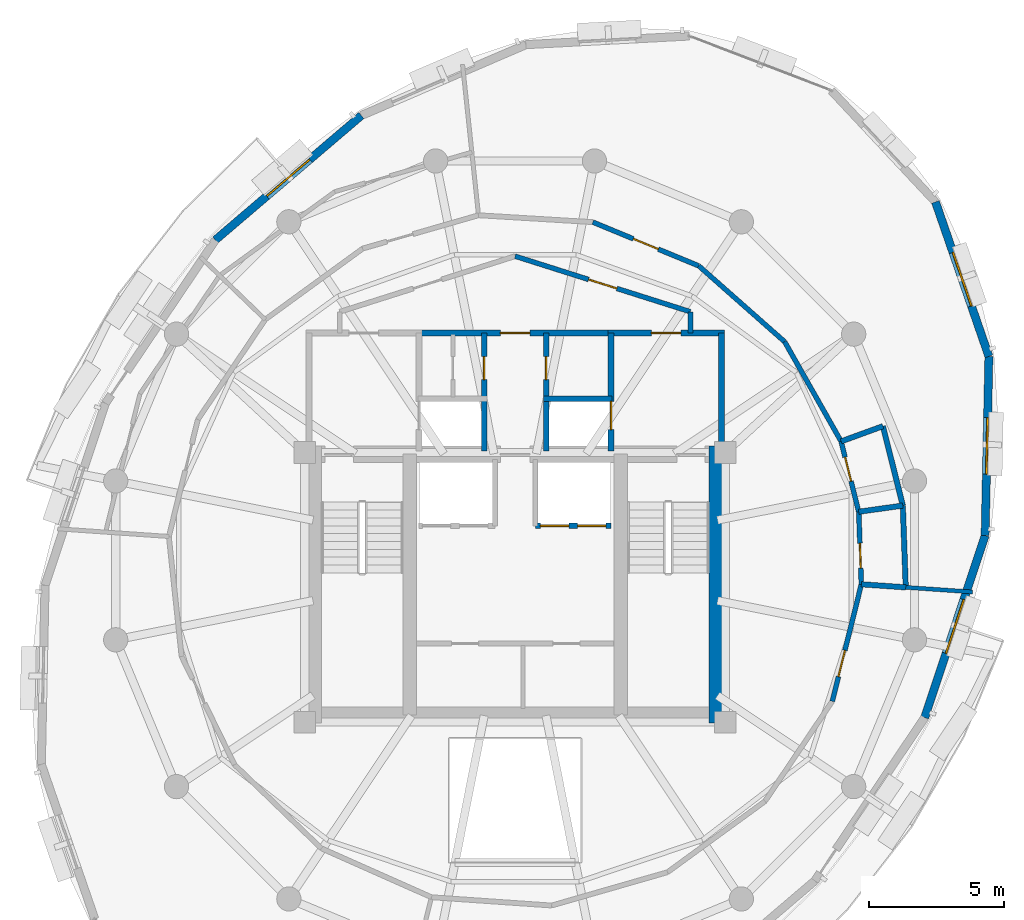
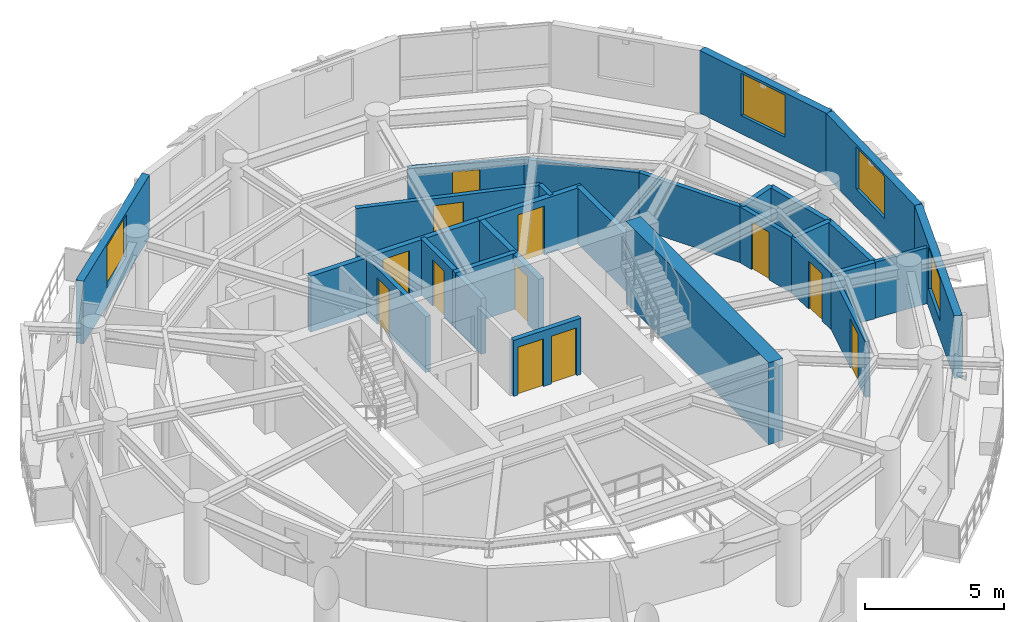
# One storey, part 8 of 11: 27 walls, 12 doors, 4 windows, 16 openings.
"""IFC4 building model written with IfcOpenShell, lengths in metres."""

from ifc_helpers import new_model, si_unit, direction, frame, frame_2d, origin, place, context, subcontext, project, spatial, rectangle, extrude, material, layer, layer_set, type_object, element, fill, save


model = new_model("IFC4")

# Units and contexts
model_context = context("Model", 3, precision=1e-05, world=origin(), true_north=direction((0.0, 1.0)))
body_context = subcontext(model_context, "Body", "Model", "MODEL_VIEW")
ifc_project = project(units=[si_unit("LENGTHUNIT", "METRE"), si_unit("AREAUNIT", "SQUARE_METRE"), si_unit("VOLUMEUNIT", "CUBIC_METRE"), si_unit("PLANEANGLEUNIT", "RADIAN"), si_unit("MASSUNIT", "GRAM", prefix="KILO"), si_unit("THERMODYNAMICTEMPERATUREUNIT", "KELVIN"), si_unit("POWERUNIT", "WATT")], contexts=[model_context])

# Site, building, storey
site_placement = place(None, origin())
site = spatial("IfcSite", under=ifc_project, at=site_placement, CompositionType="ELEMENT")
building_placement = place(site_placement, origin())
building = spatial("IfcBuilding", under=site, at=building_placement, Name="Ocrelia Relay Tower", CompositionType="ELEMENT")
storey_placement = place(building_placement, frame((0.0, 0.0, 262.800048828125)))
storey = spatial("IfcBuildingStorey", under=building, at=storey_placement, Name="L65", CompositionType="ELEMENT", Elevation=262.800048828125)

# Walls
ifc_material_1 = material(Name="Concrete C50/60", Category="concrete")
ifc_layer_1 = layer(ifc_material_1, 0.60009765625, Name="Concrete C50/60")
ifc_layer_set_1 = layer_set([ifc_layer_1], Name="Concrete C50/60")
wall_type_1 = type_object("IfcWallType", Name="CW-CORE-600B", PredefinedType="SHEAR", material=ifc_layer_set_1)
wall_1_placement = place(storey_placement, frame((41.488037109375, 19.9619140625, 0.0), z_axis=(0.0, 0.0, 1.0), x_axis=(0.0, 1.0, 0.0)))
element("IfcWall", 1, at=wall_1_placement, inside=storey, type_object=wall_type_1, Name="L65 Core Shear Wall E", PredefinedType="SHEAR", context=body_context, shape_type="SweptSolid", body=[
    extrude(rectangle(XDim=10.276123046875, YDim=0.60009765625, at=frame_2d((5.13818359375, 0.0))), origin(), (0.0, 0.0, 1.0), 3.599853515625),
])
ifc_material_2 = material(Name="Gypsum Fireboard Partition EI60", Category="gypsum")
ifc_layer_2 = layer(ifc_material_2, 0.179931640625, Name="Gypsum Fireboard Partition EI60")
ifc_layer_set_2 = layer_set([ifc_layer_2], Name="Gypsum Fireboard Partition EI60")
wall_type_2 = type_object("IfcWallType", Name="W-CORR-EI60-180", PredefinedType="PARTITIONING", material=ifc_layer_set_2)
wall_2_placement = place(storey_placement, frame((40.5, 35.218994140625, 0.0), z_axis=(0.0, 0.0, 1.0), x_axis=(0.0, -1.0, 0.0)))
element("IfcWall", 2, at=wall_2_placement, inside=storey, type_object=wall_type_2, Name="L65 Smoke Lobby East Return", PredefinedType="PARTITIONING", context=body_context, shape_type="SweptSolid", body=[
    extrude(rectangle(XDim=0.7890625, YDim=0.179931640625, at=frame_2d((0.39453125, 0.0))), origin(), (0.0, 0.0, 1.0), 2.4599609375),
])

# Wall, opening, door
wall_3_placement = place(storey_placement, frame((34.0, 37.280029296875, 0.0), z_axis=(0.0, 0.0, 1.0), x_axis=(0.953228121756, -0.302251795518, 0.0)))
wall_3 = element("IfcWall", 3, at=wall_3_placement, inside=storey, type_object=wall_type_2, Name="L65 North Smoke Lobby E Screen Wall", PredefinedType="PARTITIONING", context=body_context, shape_type="SweptSolid", body=[
    extrude(rectangle(XDim=6.81884765625, YDim=0.179931640625, at=frame_2d((3.409423828125, 0.0))), origin(), (0.0, 0.0, 1.0), 2.4599609375),
])
opening_1_placement = place(wall_3_placement, frame((2.859619140625, 0.0, 0.0)))
opening_1 = element("IfcOpeningElement", 4, at=opening_1_placement, cuts=wall_3, Name="Opening D-FD60", PredefinedType="OPENING", context=body_context, shape_type="SweptSolid", body=[
    extrude(rectangle(XDim=1.10009765625, YDim=2.14990234375, at=frame_2d((0.550048828125, 1.074951171875))), frame((0.0, 0.10009765625, 0.0), z_axis=(0.0, -1.0, 0.0), x_axis=(1.0, 0.0, 0.0)), (0.0, 0.0, 1.0), 0.199951171875),
])
ifc_material_3 = material(Name="Timber-core 60-min acoustic fire door", Category="wood")
door_type_1 = type_object("IfcDoorType", Name="DR-LOBBY-FD60-1100", OperationType="NOTDEFINED", PredefinedType="DOOR", material=ifc_material_3)
door_1_placement = place(opening_1_placement, origin())
door_1 = element("IfcDoor", 5, at=door_1_placement, inside=storey, type_object=door_type_1, Name="L65 North Smoke Lobby E Fire Door", OperationType="SINGLE_SWING_LEFT", OverallHeight=2.14990234375, OverallWidth=1.10009765625, PredefinedType="DOOR", context=body_context, shape_type="SweptSolid", body=[
    extrude(rectangle(XDim=1.10009765625, YDim=2.14990234375, at=frame_2d((0.550048828125, 1.074951171875))), frame((0.0, 0.02490234375, 0.0), z_axis=(0.0, -1.0, 0.0), x_axis=(1.0, 0.0, 0.0)), (0.0, 0.0, 1.0), 0.050048828125),
])
fill(opening_1, door_1)

wall_4_placement = place(storey_placement, frame((46.83935546875, 25.11328125, 0.0), z_axis=(0.0, 0.0, 1.0), x_axis=(-0.035749786109, 0.99936077209, 0.0)))
wall_4 = element("IfcWall", 6, at=wall_4_placement, inside=storey, type_object=wall_type_2, Name="L65 Staff Toilet Corridor Wall", PredefinedType="PARTITIONING", context=body_context, shape_type="SweptSolid", body=[
    extrude(rectangle(XDim=2.690673828125, YDim=0.179931640625, at=frame_2d((1.34521484375, 0.0))), origin(), (0.0, 0.0, 1.0), 2.4599609375),
])
opening_2_placement = place(wall_4_placement, frame((0.603271484375, 0.0, 0.0)))
opening_2 = element("IfcOpeningElement", 7, at=opening_2_placement, cuts=wall_4, Name="Opening D-WC92", PredefinedType="OPENING", context=body_context, shape_type="SweptSolid", body=[
    extrude(rectangle(XDim=0.919921875, YDim=2.10009765625, at=frame_2d((0.4599609375, 1.050048828125))), frame((0.0, 0.10009765625, 0.0), z_axis=(0.0, -1.0, 0.0), x_axis=(1.0, 0.0, 0.0)), (0.0, 0.0, 1.0), 0.199951171875),
])
ifc_material_4 = material(Name="Laminate washroom door", Category="wood")
door_type_2 = type_object("IfcDoorType", Name="DR-WC-920", OperationType="NOTDEFINED", PredefinedType="DOOR", material=ifc_material_4)
door_2_placement = place(opening_2_placement, origin())
door_2 = element("IfcDoor", 8, at=door_2_placement, inside=storey, type_object=door_type_2, Name="L65 Staff Toilet Door", OperationType="SINGLE_SWING_RIGHT", OverallHeight=2.10009765625, OverallWidth=0.919921875, PredefinedType="DOOR", context=body_context, shape_type="SweptSolid", body=[
    extrude(rectangle(XDim=0.919921875, YDim=2.10009765625, at=frame_2d((0.4599609375, 1.050048828125))), frame((0.0, 0.02490234375, 0.0), z_axis=(0.0, -1.0, 0.0), x_axis=(1.0, 0.0, 0.0)), (0.0, 0.0, 1.0), 0.050048828125),
])
fill(opening_2, door_2)

wall_5_placement = place(storey_placement, frame((46.7431640625, 27.80224609375, 0.0), z_axis=(0.0, 0.0, 1.0), x_axis=(-0.242727774207, 0.970094442634, 0.0)))
wall_5 = element("IfcWall", 9, at=wall_5_placement, inside=storey, type_object=wall_type_2, Name="L65 Accessible Toilet Corridor Wall", PredefinedType="PARTITIONING", context=body_context, shape_type="SweptSolid", body=[
    extrude(rectangle(XDim=2.690673828125, YDim=0.179931640625, at=frame_2d((1.34521484375, 0.0))), origin(), (0.0, 0.0, 1.0), 2.4599609375),
])
opening_3_placement = place(wall_5_placement, frame((1.16748046875, 0.0, 0.0)))
opening_3 = element("IfcOpeningElement", 10, at=opening_3_placement, cuts=wall_5, Name="Opening D-WC92", PredefinedType="OPENING", context=body_context, shape_type="SweptSolid", body=[
    extrude(rectangle(XDim=0.919921875, YDim=2.10009765625, at=frame_2d((0.4599609375, 1.050048828125))), frame((0.0, 0.10009765625, 0.0), z_axis=(0.0, -1.0, 0.0), x_axis=(1.0, 0.0, 0.0)), (0.0, 0.0, 1.0), 0.199951171875),
])
door_3_placement = place(opening_3_placement, origin())
door_3 = element("IfcDoor", 11, at=door_3_placement, inside=storey, type_object=door_type_2, Name="L65 Accessible Toilet Door", OperationType="SINGLE_SWING_LEFT", OverallHeight=2.10009765625, OverallWidth=0.919921875, PredefinedType="DOOR", context=body_context, shape_type="SweptSolid", body=[
    extrude(rectangle(XDim=0.919921875, YDim=2.10009765625, at=frame_2d((0.4599609375, 1.050048828125))), frame((0.0, 0.02490234375, 0.0), z_axis=(0.0, -1.0, 0.0), x_axis=(1.0, 0.0, 0.0)), (0.0, 0.0, 1.0), 0.050048828125),
])
fill(opening_3, door_3)

# Walls
for number, where, z_axis, x_axis, name in (
    (12, (46.090087890625, 30.412353515625, 0.0), (0.0, 0.0, 1.0), (-0.493177857929, 0.869928503067, 0.0), "L65 Archive Vault Store East Corridor Partition 1"),
    (13, (43.994873046875, 34.108154296875, 0.0), (0.0, 0.0, 1.0), (-0.749539264815, 0.66195988587, 0.0), "L65 Archive Vault Store East Corridor Partition 2"),
):
    element("IfcWall", number, at=place(storey_placement, frame(where, z_axis=z_axis, x_axis=x_axis)), inside=storey, type_object=wall_type_2, Name=name, PredefinedType="PARTITIONING", context=body_context, shape_type="SweptSolid", body=[
        extrude(rectangle(XDim=4.248291015625, YDim=0.179931640625, at=frame_2d((2.1240234375, 0.0))), origin(), (0.0, 0.0, 1.0), 2.4599609375),
    ])

# Wall, opening, door
wall_6_placement = place(storey_placement, frame((40.810546875, 36.92041015625, 0.0), z_axis=(0.0, 0.0, 1.0), x_axis=(-0.924212047163, 0.381879682465, 0.0)))
wall_6 = element("IfcWall", 14, at=wall_6_placement, inside=storey, type_object=wall_type_2, Name="L65 Archive Vault Store East Corridor Partition 3", PredefinedType="PARTITIONING", context=body_context, shape_type="SweptSolid", body=[
    extrude(rectangle(XDim=4.248291015625, YDim=0.179931640625, at=frame_2d((2.1240234375, 0.0))), origin(), (0.0, 0.0, 1.0), 2.4599609375),
])
opening_4_placement = place(wall_6_placement, frame((1.6240234375, 0.0, 0.0)))
opening_4 = element("IfcOpeningElement", 15, at=opening_4_placement, cuts=wall_6, Name="Opening D-RM100", PredefinedType="OPENING", context=body_context, shape_type="SweptSolid", body=[
    extrude(rectangle(XDim=1.0, YDim=2.14990234375, at=frame_2d((0.5, 1.074951171875))), frame((0.0, 0.10009765625, 0.0), z_axis=(0.0, -1.0, 0.0), x_axis=(1.0, 0.0, 0.0)), (0.0, 0.0, 1.0), 0.199951171875),
])
ifc_material_5 = material(Name="Acoustic oak veneer fire door", Category="wood")
door_type_3 = type_object("IfcDoorType", Name="DR-ROOM-FD60-1000", OperationType="NOTDEFINED", PredefinedType="DOOR", material=ifc_material_5)
door_4_placement = place(opening_4_placement, origin())
door_4 = element("IfcDoor", 16, at=door_4_placement, inside=storey, type_object=door_type_3, Name="L65 Archive Vault Store East Entrance Door", OperationType="SINGLE_SWING_RIGHT", OverallHeight=2.14990234375, OverallWidth=1.0, PredefinedType="DOOR", context=body_context, shape_type="SweptSolid", body=[
    extrude(rectangle(XDim=1.0, YDim=2.14990234375, at=frame_2d((0.5, 1.074951171875))), frame((0.0, 0.02490234375, 0.0), z_axis=(0.0, -1.0, 0.0), x_axis=(1.0, 0.0, 0.0)), (0.0, 0.0, 1.0), 0.050048828125),
])
fill(opening_4, door_4)

wall_7_placement = place(storey_placement, frame((45.761962890625, 20.775634765625, 0.0), z_axis=(0.0, 0.0, 1.0), x_axis=(0.241057272798, 0.970510891866, 0.0)))
wall_7 = element("IfcWall", 17, at=wall_7_placement, inside=storey, type_object=wall_type_2, Name="L65 Archive Vault Store West Corridor Partition 5", PredefinedType="PARTITIONING", context=body_context, shape_type="SweptSolid", body=[
    extrude(rectangle(XDim=4.469482421875, YDim=0.179931640625, at=frame_2d((2.23486328125, 0.0))), origin(), (0.0, 0.0, 1.0), 2.4599609375),
])
opening_5_placement = place(wall_7_placement, frame((0.9423828125, 0.0, 0.0)))
opening_5 = element("IfcOpeningElement", 18, at=opening_5_placement, cuts=wall_7, Name="Opening D-RM100", PredefinedType="OPENING", context=body_context, shape_type="SweptSolid", body=[
    extrude(rectangle(XDim=1.0, YDim=2.14990234375, at=frame_2d((0.5, 1.074951171875))), frame((0.0, 0.10009765625, 0.0), z_axis=(0.0, -1.0, 0.0), x_axis=(1.0, 0.0, 0.0)), (0.0, 0.0, 1.0), 0.199951171875),
])
door_5_placement = place(opening_5_placement, origin())
door_5 = element("IfcDoor", 19, at=door_5_placement, inside=storey, type_object=door_type_3, Name="L65 Archive Vault Store West Entrance Door", OperationType="SINGLE_SWING_RIGHT", OverallHeight=2.14990234375, OverallWidth=1.0, PredefinedType="DOOR", context=body_context, shape_type="SweptSolid", body=[
    extrude(rectangle(XDim=1.0, YDim=2.14990234375, at=frame_2d((0.5, 1.074951171875))), frame((0.0, 0.02490234375, 0.0), z_axis=(0.0, -1.0, 0.0), x_axis=(1.0, 0.0, 0.0)), (0.0, 0.0, 1.0), 0.050048828125),
])
fill(opening_5, door_5)

# Wall, opening, window
ifc_material_6 = material(Name="Precast concrete C40/50 with oxide terracotta", Category="masonry")
ifc_layer_3 = layer(ifc_material_6, 0.300048828125, Name="Precast concrete C40/50 with oxide terracotta")
ifc_layer_set_3 = layer_set([ifc_layer_3], Name="Precast concrete C40/50 with oxide terracotta")
wall_type_3 = type_object("IfcWallType", Name="W-EXT-TERR-300", PredefinedType="SOLIDWALL", material=ifc_layer_set_3)
wall_8_placement = place(storey_placement, frame((28.2978515625, 42.496826171875, 0.0), z_axis=(0.0, 0.0, 1.0), x_axis=(-0.760867335081, -0.648907465211, 0.0)))
wall_8 = element("IfcWall", 20, at=wall_8_placement, inside=storey, type_object=wall_type_3, Name="L65 Oxide Terracotta Facade Wall 04", PredefinedType="SOLIDWALL", context=body_context, shape_type="SweptSolid", body=[
    extrude(rectangle(XDim=7.115234375, YDim=0.300048828125, at=frame_2d((3.5576171875, 0.0))), origin(), (0.0, 0.0, 1.0), 2.760009765625),
])
opening_6_placement = place(wall_8_placement, frame((2.508056640625, 0.0, 0.800048828125)))
opening_6 = element("IfcOpeningElement", 21, at=opening_6_placement, cuts=wall_8, Name="Opening W-07", PredefinedType="OPENING", context=body_context, shape_type="SweptSolid", body=[
    extrude(rectangle(XDim=2.10009765625, YDim=1.85009765625, at=frame_2d((1.050048828125, 0.925048828125))), frame((0.0, 0.16015625, 0.0), z_axis=(0.0, -1.0, 0.0), x_axis=(1.0, 0.0, 0.0)), (0.0, 0.0, 1.0), 0.320068359375),
])
ifc_material_7 = material(Name="Clear double-glazed low-E glass", Category="glass")
window_type = type_object("IfcWindowType", Name="WIN-Z4-2100x2200", PartitioningType="DOUBLE_PANEL_VERTICAL", PredefinedType="WINDOW", material=ifc_material_7)
window_1_placement = place(opening_6_placement, origin())
window_1 = element("IfcWindow", 22, at=window_1_placement, inside=storey, type_object=window_type, Name="L65 Facade Module Window 04", OverallHeight=1.85009765625, OverallWidth=2.10009765625, PartitioningType="SINGLE_PANEL", PredefinedType="WINDOW", context=body_context, shape_type="SweptSolid", body=[
    extrude(rectangle(XDim=2.10009765625, YDim=1.85009765625, at=frame_2d((1.050048828125, 0.925048828125))), frame((0.0, 0.030029296875, 0.0), z_axis=(0.0, -1.0, 0.0), x_axis=(1.0, 0.0, 0.0)), (0.0, 0.0, 1.0), 0.06005859375),
])
fill(opening_6, window_1)

wall_9_placement = place(storey_placement, frame((49.18896484375, 20.170166015625, 0.0), z_axis=(0.0, 0.0, 1.0), x_axis=(0.314951068445, 0.949107909821, 0.0)))
wall_9 = element("IfcWall", 23, at=wall_9_placement, inside=storey, type_object=wall_type_3, Name="L65 Oxide Terracotta Facade Wall 15", PredefinedType="SOLIDWALL", context=body_context, shape_type="SweptSolid", body=[
    extrude(rectangle(XDim=7.115234375, YDim=0.300048828125, at=frame_2d((3.5576171875, 0.0))), origin(), (0.0, 0.0, 1.0), 2.760009765625),
])
opening_7_placement = place(wall_9_placement, frame((2.508056640625, 0.0, 0.800048828125)))
opening_7 = element("IfcOpeningElement", 24, at=opening_7_placement, cuts=wall_9, Name="Opening W-07", PredefinedType="OPENING", context=body_context, shape_type="SweptSolid", body=[
    extrude(rectangle(XDim=2.10009765625, YDim=1.85009765625, at=frame_2d((1.050048828125, 0.925048828125))), frame((0.0, 0.16015625, 0.0), z_axis=(0.0, -1.0, 0.0), x_axis=(1.0, 0.0, 0.0)), (0.0, 0.0, 1.0), 0.320068359375),
])
window_2_placement = place(opening_7_placement, origin())
window_2 = element("IfcWindow", 25, at=window_2_placement, inside=storey, type_object=window_type, Name="L65 Facade Module Window 15", OverallHeight=1.85009765625, OverallWidth=2.10009765625, PartitioningType="SINGLE_PANEL", PredefinedType="WINDOW", context=body_context, shape_type="SweptSolid", body=[
    extrude(rectangle(XDim=2.10009765625, YDim=1.85009765625, at=frame_2d((1.050048828125, 0.925048828125))), frame((0.0, 0.030029296875, 0.0), z_axis=(0.0, -1.0, 0.0), x_axis=(1.0, 0.0, 0.0)), (0.0, 0.0, 1.0), 0.06005859375),
])
fill(opening_7, window_2)

wall_10_placement = place(storey_placement, frame((51.429931640625, 26.92333984375, 0.0), z_axis=(0.0, 0.0, 1.0), x_axis=(0.020874732842, 0.999782099024, 0.0)))
wall_10 = element("IfcWall", 26, at=wall_10_placement, inside=storey, type_object=wall_type_3, Name="L65 Oxide Terracotta Facade Wall 16", PredefinedType="SOLIDWALL", context=body_context, shape_type="SweptSolid", body=[
    extrude(rectangle(XDim=6.64306640625, YDim=0.300048828125, at=frame_2d((3.321533203125, 0.0))), origin(), (0.0, 0.0, 1.0), 2.760009765625),
])
opening_8_placement = place(wall_10_placement, frame((2.27197265625, 0.0, 0.800048828125)))
opening_8 = element("IfcOpeningElement", 27, at=opening_8_placement, cuts=wall_10, Name="Opening W-07", PredefinedType="OPENING", context=body_context, shape_type="SweptSolid", body=[
    extrude(rectangle(XDim=2.10009765625, YDim=1.85009765625, at=frame_2d((1.050048828125, 0.925048828125))), frame((0.0, 0.16015625, 0.0), z_axis=(0.0, -1.0, 0.0), x_axis=(1.0, 0.0, 0.0)), (0.0, 0.0, 1.0), 0.320068359375),
])
window_3_placement = place(opening_8_placement, origin())
window_3 = element("IfcWindow", 28, at=window_3_placement, inside=storey, type_object=window_type, Name="L65 Facade Module Window 16", OverallHeight=1.85009765625, OverallWidth=2.10009765625, PartitioningType="SINGLE_PANEL", PredefinedType="WINDOW", context=body_context, shape_type="SweptSolid", body=[
    extrude(rectangle(XDim=2.10009765625, YDim=1.85009765625, at=frame_2d((1.050048828125, 0.925048828125))), frame((0.0, 0.030029296875, 0.0), z_axis=(0.0, -1.0, 0.0), x_axis=(1.0, 0.0, 0.0)), (0.0, 0.0, 1.0), 0.06005859375),
])
fill(opening_8, window_3)

wall_11_placement = place(storey_placement, frame((51.568603515625, 33.56494140625, 0.0), z_axis=(0.0, 0.0, 1.0), x_axis=(-0.326672023945, 0.945137761795, 0.0)))
wall_11 = element("IfcWall", 29, at=wall_11_placement, inside=storey, type_object=wall_type_3, Name="L65 Oxide Terracotta Facade Wall 17", PredefinedType="SOLIDWALL", context=body_context, shape_type="SweptSolid", body=[
    extrude(rectangle(XDim=6.061767578125, YDim=0.300048828125, at=frame_2d((3.03076171875, 0.0))), origin(), (0.0, 0.0, 1.0), 2.760009765625),
])
opening_9_placement = place(wall_11_placement, frame((1.98095703125, 0.0, 0.800048828125)))
opening_9 = element("IfcOpeningElement", 30, at=opening_9_placement, cuts=wall_11, Name="Opening W-07", PredefinedType="OPENING", context=body_context, shape_type="SweptSolid", body=[
    extrude(rectangle(XDim=2.10009765625, YDim=1.85009765625, at=frame_2d((1.050048828125, 0.925048828125))), frame((0.0, 0.16015625, 0.0), z_axis=(0.0, -1.0, 0.0), x_axis=(1.0, 0.0, 0.0)), (0.0, 0.0, 1.0), 0.320068359375),
])
window_4_placement = place(opening_9_placement, origin())
window_4 = element("IfcWindow", 31, at=window_4_placement, inside=storey, type_object=window_type, Name="L65 Facade Module Window 17", OverallHeight=1.85009765625, OverallWidth=2.10009765625, PartitioningType="SINGLE_PANEL", PredefinedType="WINDOW", context=body_context, shape_type="SweptSolid", body=[
    extrude(rectangle(XDim=2.10009765625, YDim=1.85009765625, at=frame_2d((1.050048828125, 0.925048828125))), frame((0.0, 0.030029296875, 0.0), z_axis=(0.0, -1.0, 0.0), x_axis=(1.0, 0.0, 0.0)), (0.0, 0.0, 1.0), 0.06005859375),
])
fill(opening_9, window_4)

# Wall, opening, door
ifc_layer_4 = layer(ifc_material_1, 0.219970703125, Name="Concrete C50/60")
ifc_layer_set_4 = layer_set([ifc_layer_4], Name="Concrete C50/60")
wall_type_4 = type_object("IfcWallType", Name="W-FFL-EI120-220", PredefinedType="SOLIDWALL", material=ifc_layer_set_4)
wall_12_placement = place(storey_placement, frame((37.56005859375, 30.050048828125, 0.0), z_axis=(0.0, 0.0, 1.0), x_axis=(0.0, 1.0, 0.0)))
wall_12 = element("IfcWall", 32, at=wall_12_placement, inside=storey, type_object=wall_type_4, Name="L65 E Fire Service Lift Lobby West Wall", PredefinedType="SOLIDWALL", context=body_context, shape_type="SweptSolid", body=[
    extrude(rectangle(XDim=4.3798828125, YDim=0.219970703125, at=frame_2d((2.18994140625, 0.0))), origin(), (0.0, 0.0, 1.0), 2.4599609375),
])
opening_10_placement = place(wall_12_placement, frame((0.800048828125, 0.0, 0.0)))
opening_10 = element("IfcOpeningElement", 33, at=opening_10_placement, cuts=wall_12, Name="Opening LD-FFL2", PredefinedType="OPENING", context=body_context, shape_type="SweptSolid", body=[
    extrude(rectangle(XDim=1.050048828125, YDim=2.10009765625, at=frame_2d((0.52490234375, 1.050048828125))), frame((0.0, 0.1201171875, 0.0), z_axis=(0.0, -1.0, 0.0), x_axis=(1.0, 0.0, 0.0)), (0.0, 0.0, 1.0), 0.239990234375),
])
ifc_material_8 = material(Name="Brushed stainless steel S355 lift landing door", Category="steel")
door_type_4 = type_object("IfcDoorType", Name="DR-LIFT-LAND-1050", OperationType="DOUBLE_DOOR_SLIDING", PredefinedType="USERDEFINED", material=ifc_material_8)
door_6_placement = place(opening_10_placement, origin())
door_6 = element("IfcDoor", 34, at=door_6_placement, inside=storey, type_object=door_type_4, Name="L65 Firefighting Lift FFL2 Sliding Landing Door", ObjectType="LANDING DOOR", OperationType="DOUBLE_DOOR_SLIDING", OverallHeight=2.10009765625, OverallWidth=1.050048828125, PredefinedType="USERDEFINED", context=body_context, shape_type="SweptSolid", body=[
    extrude(rectangle(XDim=1.050048828125, YDim=2.10009765625, at=frame_2d((0.52490234375, 1.050048828125))), frame((0.0, 0.02490234375, 0.0), z_axis=(0.0, -1.0, 0.0), x_axis=(1.0, 0.0, 0.0)), (0.0, 0.0, 1.0), 0.050048828125),
])
fill(opening_10, door_6)

# Wall
wall_13_placement = place(storey_placement, frame((41.64990234375, 30.050048828125, 0.0), z_axis=(0.0, 0.0, 1.0), x_axis=(0.0, 1.0, 0.0)))
element("IfcWall", 35, at=wall_13_placement, inside=storey, type_object=wall_type_4, Name="L65 E Fire Service Lift Lobby East Wall", PredefinedType="SOLIDWALL", context=body_context, shape_type="SweptSolid", body=[
    extrude(rectangle(XDim=4.3798828125, YDim=0.219970703125, at=frame_2d((2.18994140625, 0.0))), origin(), (0.0, 0.0, 1.0), 2.4599609375),
])

# Wall, opening, door
wall_14_placement = place(storey_placement, frame((37.449951171875, 34.429931640625, 0.0), z_axis=(0.0, 0.0, 1.0), x_axis=(1.0, 0.0, 0.0)))
wall_14 = element("IfcWall", 36, at=wall_14_placement, inside=storey, type_object=wall_type_4, Name="L65 E Fire Service Lift Lobby North Wall", PredefinedType="SOLIDWALL", context=body_context, shape_type="SweptSolid", body=[
    extrude(rectangle(XDim=4.31005859375, YDim=0.219970703125, at=frame_2d((2.155029296875, 0.0))), origin(), (0.0, 0.0, 1.0), 2.4599609375),
])
opening_11_placement = place(wall_14_placement, frame((1.60009765625, 0.0, 0.0)))
opening_11 = element("IfcOpeningElement", 37, at=opening_11_placement, cuts=wall_14, Name="Opening D-FD60", PredefinedType="OPENING", context=body_context, shape_type="SweptSolid", body=[
    extrude(rectangle(XDim=1.10009765625, YDim=2.14990234375, at=frame_2d((0.550048828125, 1.074951171875))), frame((0.0, 0.1201171875, 0.0), z_axis=(0.0, -1.0, 0.0), x_axis=(1.0, 0.0, 0.0)), (0.0, 0.0, 1.0), 0.239990234375),
])
door_7_placement = place(opening_11_placement, origin())
door_7 = element("IfcDoor", 38, at=door_7_placement, inside=storey, type_object=door_type_1, Name="L65 E Fire Service Lift Lobby Exit Door", OperationType="SINGLE_SWING_RIGHT", OverallHeight=2.14990234375, OverallWidth=1.10009765625, PredefinedType="DOOR", context=body_context, shape_type="SweptSolid", body=[
    extrude(rectangle(XDim=1.10009765625, YDim=2.14990234375, at=frame_2d((0.550048828125, 1.074951171875))), frame((0.0, 0.02490234375, 0.0), z_axis=(0.0, -1.0, 0.0), x_axis=(1.0, 0.0, 0.0)), (0.0, 0.0, 1.0), 0.050048828125),
])
fill(opening_11, door_7)

wall_15_placement = place(storey_placement, frame((30.43994140625, 34.429931640625, 0.0), z_axis=(0.0, 0.0, 1.0), x_axis=(1.0, 0.0, 0.0)))
wall_15 = element("IfcWall", 39, at=wall_15_placement, inside=storey, type_object=wall_type_4, Name="L65 North Core Vestibule Wall", PredefinedType="SOLIDWALL", context=body_context, shape_type="SweptSolid", body=[
    extrude(rectangle(XDim=7.1201171875, YDim=0.219970703125, at=frame_2d((3.56005859375, 0.0))), origin(), (0.0, 0.0, 1.0), 2.4599609375),
])
opening_12_placement = place(wall_15_placement, frame((3.010009765625, 0.0, 0.0)))
opening_12 = element("IfcOpeningElement", 40, at=opening_12_placement, cuts=wall_15, Name="Opening D-FD60", PredefinedType="OPENING", context=body_context, shape_type="SweptSolid", body=[
    extrude(rectangle(XDim=1.10009765625, YDim=2.14990234375, at=frame_2d((0.550048828125, 1.074951171875))), frame((0.0, 0.1201171875, 0.0), z_axis=(0.0, -1.0, 0.0), x_axis=(1.0, 0.0, 0.0)), (0.0, 0.0, 1.0), 0.239990234375),
])
door_8_placement = place(opening_12_placement, origin())
door_8 = element("IfcDoor", 41, at=door_8_placement, inside=storey, type_object=door_type_1, Name="L65 North Core Vestibule Corridor Door", OperationType="SINGLE_SWING_RIGHT", OverallHeight=2.14990234375, OverallWidth=1.10009765625, PredefinedType="DOOR", context=body_context, shape_type="SweptSolid", body=[
    extrude(rectangle(XDim=1.10009765625, YDim=2.14990234375, at=frame_2d((0.550048828125, 1.074951171875))), frame((0.0, 0.02490234375, 0.0), z_axis=(0.0, -1.0, 0.0), x_axis=(1.0, 0.0, 0.0)), (0.0, 0.0, 1.0), 0.050048828125),
])
fill(opening_12, door_8)

# Walls
ifc_material_9 = material(Name="Acoustic Fireboard Partition EI60", Category="gypsum")
ifc_layer_5 = layer(ifc_material_9, 0.14990234375, Name="Acoustic Fireboard Partition EI60")
ifc_layer_set_5 = layer_set([ifc_layer_5], Name="Acoustic Fireboard Partition EI60")
wall_type_5 = type_object("IfcWallType", Name="W-PART-150", PredefinedType="PARTITIONING", material=ifc_layer_set_5)
wall_16_placement = place(storey_placement, frame((48.485595703125, 24.999755859375, 0.0), z_axis=(0.0, 0.0, 1.0), x_axis=(0.99762916315, -0.068818985991, 0.0)))
element("IfcWall", 42, at=wall_16_placement, inside=storey, type_object=wall_type_5, Name="L65 Archive Vault Store East Radial Partition", PredefinedType="PARTITIONING", context=body_context, shape_type="SweptSolid", body=[
    extrude(rectangle(XDim=2.479736328125, YDim=0.14990234375, at=frame_2d((1.23974609375, 0.0))), origin(), (0.0, 0.0, 1.0), 2.4599609375),
])
ifc_material_10 = material(Name="Moisture-Resistant Fireboard Chase Wall EI60", Category="gypsum")
ifc_layer_6 = layer(ifc_material_10, 0.199951171875, Name="Moisture-Resistant Fireboard Chase Wall EI60")
ifc_layer_set_6 = layer_set([ifc_layer_6], Name="Moisture-Resistant Fireboard Chase Wall EI60")
wall_type_6 = type_object("IfcWallType", Name="W-PLUMB-200", PredefinedType="PLUMBINGWALL", material=ifc_layer_set_6)
for number, where, z_axis, x_axis, name in (
    (43, (46.83935546875, 25.11328125, 0.0), (0.0, 0.0, 1.0), (0.997630678589, -0.068797014021, 0.0), "L65 Staff Toilet Plumbing Radial Wall"),
    (44, (46.7431640625, 27.80224609375, 0.0), (0.0, 0.0, 1.0), (0.990155577229, 0.139971185902, 0.0), "L65 Staff Toilet Plumbing Radial Wall"),
):
    element("IfcWall", number, at=place(storey_placement, frame(where, z_axis=z_axis, x_axis=x_axis)), inside=storey, type_object=wall_type_6, Name=name, PredefinedType="PLUMBINGWALL", context=body_context, shape_type="SweptSolid", body=[
        extrude(rectangle(XDim=1.650146484375, YDim=0.199951171875, at=frame_2d((0.8251953125, 0.0))), origin(), (0.0, 0.0, 1.0), 2.4599609375),
    ])
wall_17_placement = place(storey_placement, frame((48.485595703125, 24.999755859375, 0.0), z_axis=(0.0, 0.0, 1.0), x_axis=(-0.035791941418, 0.999359263193, 0.0)))
element("IfcWall", 45, at=wall_17_placement, inside=storey, type_object=wall_type_6, Name="L65 Staff Toilet Back Plumbing Wall", PredefinedType="PLUMBINGWALL", context=body_context, shape_type="SweptSolid", body=[
    extrude(rectangle(XDim=3.035400390625, YDim=0.199951171875, at=frame_2d((1.517578125, 0.0))), origin(), (0.0, 0.0, 1.0), 2.4599609375),
])
wall_18_placement = place(storey_placement, frame((46.090087890625, 30.412353515625, 0.0), z_axis=(0.0, 0.0, 1.0), x_axis=(0.939382287861, 0.342871575453, 0.0)))
element("IfcWall", 46, at=wall_18_placement, inside=storey, type_object=wall_type_6, Name="L65 Accessible Toilet Plumbing Radial Wall", PredefinedType="PLUMBINGWALL", context=body_context, shape_type="SweptSolid", body=[
    extrude(rectangle(XDim=1.64990234375, YDim=0.199951171875, at=frame_2d((0.824951171875, 0.0))), origin(), (0.0, 0.0, 1.0), 2.4599609375),
])
wall_19_placement = place(storey_placement, frame((48.376953125, 28.033203125, 0.0), z_axis=(0.0, 0.0, 1.0), x_axis=(-0.242800542642, 0.97007623231, 0.0)))
element("IfcWall", 47, at=wall_19_placement, inside=storey, type_object=wall_type_6, Name="L65 Accessible Toilet Back Plumbing Wall", PredefinedType="PLUMBINGWALL", context=body_context, shape_type="SweptSolid", body=[
    extrude(rectangle(XDim=3.03564453125, YDim=0.199951171875, at=frame_2d((1.517822265625, 0.0))), origin(), (0.0, 0.0, 1.0), 2.4599609375),
])

# Wall, opening, door
ifc_layer_7 = layer(ifc_material_1, 0.199951171875, Name="Concrete C50/60")
ifc_layer_set_7 = layer_set([ifc_layer_7], Name="Concrete C50/60")
wall_type_7 = type_object("IfcWallType", Name="W-SHAFT-EI120-200", PredefinedType="SOLIDWALL", material=ifc_layer_set_7)
wall_20_placement = place(storey_placement, frame((32.85009765625, 30.050048828125, 0.0), z_axis=(0.0, 0.0, 1.0), x_axis=(0.0, 1.0, 0.0)))
wall_20 = element("IfcWall", 48, at=wall_20_placement, inside=storey, type_object=wall_type_7, Name="L65 FFL1 and Service Vestibule Wall", PredefinedType="SOLIDWALL", context=body_context, shape_type="SweptSolid", body=[
    extrude(rectangle(XDim=4.3798828125, YDim=0.199951171875, at=frame_2d((2.18994140625, 0.0))), origin(), (0.0, 0.0, 1.0), 2.4599609375),
])
opening_13_placement = place(wall_20_placement, frame((2.64990234375, 0.0, 0.0)))
opening_13 = element("IfcOpeningElement", 49, at=opening_13_placement, cuts=wall_20, Name="Opening D-RS86", PredefinedType="OPENING", context=body_context, shape_type="SweptSolid", body=[
    extrude(rectangle(XDim=0.860107421875, YDim=2.050048828125, at=frame_2d((0.43017578125, 1.02490234375))), frame((0.0, 0.10986328125, 0.0), z_axis=(0.0, -1.0, 0.0), x_axis=(1.0, 0.0, 0.0)), (0.0, 0.0, 1.0), 0.219970703125),
])
ifc_material_11 = material(Name="Steel S355 riser access fire door", Category="steel")
door_type_5 = type_object("IfcDoorType", Name="DR-RISER-TRAP-860", OperationType="NOTDEFINED", PredefinedType="TRAPDOOR", material=ifc_material_11)
door_9_placement = place(opening_13_placement, origin())
door_9 = element("IfcDoor", 50, at=door_9_placement, inside=storey, type_object=door_type_5, Name="L65 Core Support Room W Door", OperationType="SINGLE_SWING_LEFT", OverallHeight=2.050048828125, OverallWidth=0.860107421875, PredefinedType="TRAPDOOR", context=body_context, shape_type="SweptSolid", body=[
    extrude(rectangle(XDim=0.860107421875, YDim=2.050048828125, at=frame_2d((0.43017578125, 1.02490234375))), frame((0.0, 0.02490234375, 0.0), z_axis=(0.0, -1.0, 0.0), x_axis=(1.0, 0.0, 0.0)), (0.0, 0.0, 1.0), 0.050048828125),
])
fill(opening_13, door_9)

# Wall
wall_21_placement = place(storey_placement, frame((35.050048828125, 32.0, 0.0), z_axis=(0.0, 0.0, 1.0), x_axis=(1.0, 0.0, 0.0)))
element("IfcWall", 51, at=wall_21_placement, inside=storey, type_object=wall_type_7, Name="L65 FFL2 Hoistway North Wall", PredefinedType="SOLIDWALL", context=body_context, shape_type="SweptSolid", body=[
    extrude(rectangle(XDim=2.550048828125, YDim=0.199951171875, at=frame_2d((1.27490234375, 0.0))), origin(), (0.0, 0.0, 1.0), 2.4599609375),
])

# Wall, opening, door
wall_22_placement = place(storey_placement, frame((35.14990234375, 30.050048828125, 0.0), z_axis=(0.0, 0.0, 1.0), x_axis=(0.0, 1.0, 0.0)))
wall_22 = element("IfcWall", 52, at=wall_22_placement, inside=storey, type_object=wall_type_7, Name="L65 FFL2 and Service Vestibule Wall", PredefinedType="SOLIDWALL", context=body_context, shape_type="SweptSolid", body=[
    extrude(rectangle(XDim=4.3798828125, YDim=0.199951171875, at=frame_2d((2.18994140625, 0.0))), origin(), (0.0, 0.0, 1.0), 2.4599609375),
])
opening_14_placement = place(wall_22_placement, frame((2.64990234375, 0.0, 0.0)))
opening_14 = element("IfcOpeningElement", 53, at=opening_14_placement, cuts=wall_22, Name="Opening D-RS86", PredefinedType="OPENING", context=body_context, shape_type="SweptSolid", body=[
    extrude(rectangle(XDim=0.860107421875, YDim=2.050048828125, at=frame_2d((0.43017578125, 1.02490234375))), frame((0.0, 0.10986328125, 0.0), z_axis=(0.0, -1.0, 0.0), x_axis=(1.0, 0.0, 0.0)), (0.0, 0.0, 1.0), 0.219970703125),
])
door_10_placement = place(opening_14_placement, origin())
door_10 = element("IfcDoor", 54, at=door_10_placement, inside=storey, type_object=door_type_5, Name="L65 Core Support Room E Door", OperationType="SINGLE_SWING_LEFT", OverallHeight=2.050048828125, OverallWidth=0.860107421875, PredefinedType="TRAPDOOR", context=body_context, shape_type="SweptSolid", body=[
    extrude(rectangle(XDim=0.860107421875, YDim=2.050048828125, at=frame_2d((0.43017578125, 1.02490234375))), frame((0.0, 0.02490234375, 0.0), z_axis=(0.0, -1.0, 0.0), x_axis=(1.0, 0.0, 0.0)), (0.0, 0.0, 1.0), 0.050048828125),
])
fill(opening_14, door_10)

# Wall, openings, doors
wall_23_placement = place(storey_placement, frame((34.75, 27.280029296875, 0.0), z_axis=(0.0, 0.0, 1.0), x_axis=(1.0, 0.0, 0.0)))
wall_23 = element("IfcWall", 55, at=wall_23_placement, inside=storey, type_object=wall_type_7, Name="L65 High-Rise Lift Hoistway Wall E", PredefinedType="SOLIDWALL", context=body_context, shape_type="SweptSolid", body=[
    extrude(rectangle(XDim=2.81005859375, YDim=0.199951171875, at=frame_2d((1.405029296875, 0.0))), origin(), (0.0, 0.0, 1.0), 2.4599609375),
])
opening_15_placement = place(wall_23_placement, frame((0.18994140625, 0.0, 0.0)))
opening_15 = element("IfcOpeningElement", 56, at=opening_15_placement, cuts=wall_23, Name="Opening LD-PL7", PredefinedType="OPENING", context=body_context, shape_type="SweptSolid", body=[
    extrude(rectangle(XDim=1.050048828125, YDim=2.10009765625, at=frame_2d((0.52490234375, 1.050048828125))), frame((0.0, 0.10986328125, 0.0), z_axis=(0.0, -1.0, 0.0), x_axis=(1.0, 0.0, 0.0)), (0.0, 0.0, 1.0), 0.219970703125),
])
opening_16_placement = place(wall_23_placement, frame((1.570068359375, 0.0, 0.0)))
opening_16 = element("IfcOpeningElement", 57, at=opening_16_placement, cuts=wall_23, Name="Opening LD-PL8", PredefinedType="OPENING", context=body_context, shape_type="SweptSolid", body=[
    extrude(rectangle(XDim=1.050048828125, YDim=2.10009765625, at=frame_2d((0.52490234375, 1.050048828125))), frame((0.0, 0.10986328125, 0.0), z_axis=(0.0, -1.0, 0.0), x_axis=(1.0, 0.0, 0.0)), (0.0, 0.0, 1.0), 0.219970703125),
])
door_11_placement = place(opening_15_placement, origin())
door_11 = element("IfcDoor", 58, at=door_11_placement, inside=storey, type_object=door_type_4, Name="L65 High-Rise Lift PL7 Sliding Landing Door", ObjectType="LANDING DOOR", OperationType="DOUBLE_DOOR_SLIDING", OverallHeight=2.10009765625, OverallWidth=1.050048828125, PredefinedType="USERDEFINED", context=body_context, shape_type="SweptSolid", body=[
    extrude(rectangle(XDim=1.050048828125, YDim=2.10009765625, at=frame_2d((0.52490234375, 1.050048828125))), frame((0.0, 0.02490234375, 0.0), z_axis=(0.0, -1.0, 0.0), x_axis=(1.0, 0.0, 0.0)), (0.0, 0.0, 1.0), 0.050048828125),
])
fill(opening_15, door_11)
door_12_placement = place(opening_16_placement, origin())
door_12 = element("IfcDoor", 59, at=door_12_placement, inside=storey, type_object=door_type_4, Name="L65 High-Rise Lift PL8 Sliding Landing Door", ObjectType="LANDING DOOR", OperationType="DOUBLE_DOOR_SLIDING", OverallHeight=2.10009765625, OverallWidth=1.050048828125, PredefinedType="USERDEFINED", context=body_context, shape_type="SweptSolid", body=[
    extrude(rectangle(XDim=1.050048828125, YDim=2.10009765625, at=frame_2d((0.52490234375, 1.050048828125))), frame((0.0, 0.02490234375, 0.0), z_axis=(0.0, -1.0, 0.0), x_axis=(1.0, 0.0, 0.0)), (0.0, 0.0, 1.0), 0.050048828125),
])
fill(opening_16, door_12)

save(model, "model.ifc")
